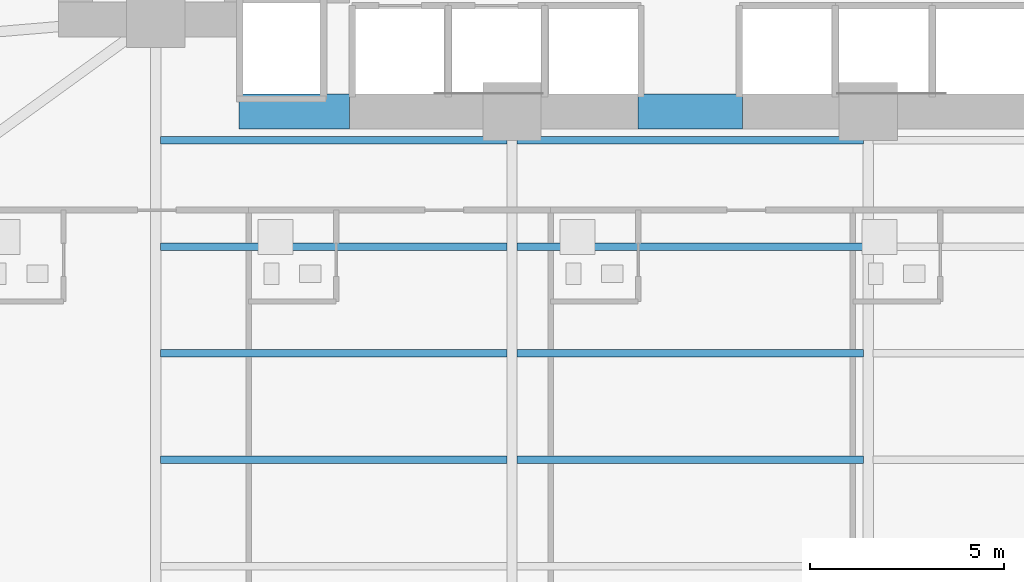
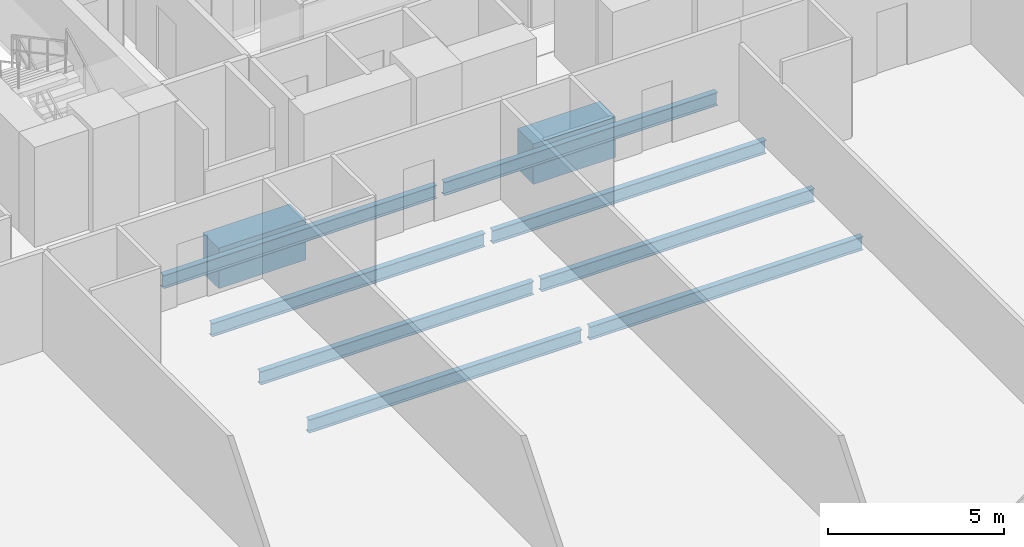
# One storey, part 7 of 28: 10 beams.
"""IFC4 building model written with IfcOpenShell, lengths in metres."""

from ifc_helpers import new_model, si_unit, direction, frame, origin, origin_2d, place, context, subcontext, project, spatial, rectangle, i_section, extrude, material, material_profile, profile_set, type_object, element, save


model = new_model("IFC4")

# Units and contexts
model_context = context("Model", 3, precision=1e-05, world=origin(), true_north=direction((0.0, 1.0)))
body_context = subcontext(model_context, "Body", "Model", "MODEL_VIEW")
ifc_project = project(units=[si_unit("LENGTHUNIT", "METRE"), si_unit("AREAUNIT", "SQUARE_METRE"), si_unit("VOLUMEUNIT", "CUBIC_METRE"), si_unit("PLANEANGLEUNIT", "RADIAN"), si_unit("MASSUNIT", "GRAM", prefix="KILO")], contexts=[model_context])

# Site, building, storey
site_placement = place(None, origin())
site = spatial("IfcSite", under=ifc_project, at=site_placement, CompositionType="ELEMENT")
building_placement = place(site_placement, origin())
building = spatial("IfcBuilding", under=site, at=building_placement, Name="Zuhayl Quay Hotel", CompositionType="ELEMENT")
storey_placement = place(building_placement, frame((0.0, 0.0, 53.14990234375)))
storey = spatial("IfcBuildingStorey", under=building, at=storey_placement, Name="L12", CompositionType="ELEMENT", Elevation=53.14990234375)

# Beams
ifc_material_1 = material(Name="Concrete C60/75", Category="concrete")
ifc_material_profile_1 = material_profile(ifc_material_1, rectangle(XDim=0.89990234375, YDim=1.39990234375, at=origin_2d()), Name="RC900X1400")
ifc_profile_set_1 = profile_set([ifc_material_profile_1], Name="Concrete C60/75")
beam_type_1 = type_object("IfcBeamType", Name="BM_CB1_RC900", PredefinedType="T_BEAM", material=ifc_profile_set_1)
beam_1_placement = place(storey_placement, frame((-11.64990234375, 2.14990234375, -0.919921875), z_axis=(1.0, 0.0, 0.0), x_axis=(0.0, 1.0, 0.0)))
element("IfcBeam", 1, at=beam_1_placement, inside=storey, type_object=beam_type_1, Name="L12 Core Coupling Beam SW", PredefinedType="T_BEAM", context=body_context, shape_type="SweptSolid", body=[
    extrude(rectangle(XDim=0.89990234375, YDim=1.39990234375, at=origin_2d()), origin(), (0.0, 0.0, 1.0), 2.849853515625),
])
beam_2_placement = place(storey_placement, frame((-1.35009765625, 2.14990234375, -0.919921875), z_axis=(1.0, 0.0, 0.0), x_axis=(0.0, 1.0, 0.0)))
element("IfcBeam", 2, at=beam_2_placement, inside=storey, type_object=beam_type_1, Name="L12 Core Coupling Beam South", PredefinedType="T_BEAM", context=body_context, shape_type="SweptSolid", body=[
    extrude(rectangle(XDim=0.89990234375, YDim=1.39990234375, at=origin_2d()), origin(), (0.0, 0.0, 1.0), 2.7001953125),
])
ifc_material_2 = material(Name="Steel ASTM A992 Grade 50", Category="steel")
ifc_material_profile_2 = material_profile(ifc_material_2, i_section(OverallWidth=0.18994140625, OverallDepth=0.45703125, WebThickness=0.009033203125, FlangeThickness=0.014404296875, at=origin_2d()), Name="W18X50")
ifc_profile_set_2 = profile_set([ifc_material_profile_2], Name="Steel ASTM A992 Grade 50")
beam_type_2 = type_object("IfcBeamType", Name="BM_J2_W18X50", PredefinedType="JOIST", material=ifc_profile_set_2)
beam_3_placement = place(storey_placement, frame((-13.674560546875, -6.85009765625, -0.448486328125), z_axis=(1.0, 0.0, 0.0), x_axis=(0.0, 1.0, 0.0)))
element("IfcBeam", 3, at=beam_3_placement, inside=storey, type_object=beam_type_2, Name="L12 Floor Beam FJ_L12_7_1", PredefinedType="JOIST", context=body_context, shape_type="SweptSolid", body=[
    extrude(i_section(OverallWidth=0.18994140625, OverallDepth=0.45703125, WebThickness=0.009033203125, FlangeThickness=0.014404296875, at=origin_2d()), origin(), (0.0, 0.0, 1.0), 8.948974609375),
])
beam_4_placement = place(storey_placement, frame((-4.474609375, -6.85009765625, -0.448486328125), z_axis=(1.0, 0.0, 0.0), x_axis=(0.0, 1.0, 0.0)))
element("IfcBeam", 4, at=beam_4_placement, inside=storey, type_object=beam_type_2, Name="L12 Floor Beam FJ_L12_7_2", PredefinedType="JOIST", context=body_context, shape_type="SweptSolid", body=[
    extrude(i_section(OverallWidth=0.18994140625, OverallDepth=0.45703125, WebThickness=0.009033203125, FlangeThickness=0.014404296875, at=origin_2d()), origin(), (0.0, 0.0, 1.0), 8.94921875),
])
beam_5_placement = place(storey_placement, frame((-13.674560546875, -4.10009765625, -0.448486328125), z_axis=(1.0, 0.0, 0.0), x_axis=(0.0, 1.0, 0.0)))
element("IfcBeam", 5, at=beam_5_placement, inside=storey, type_object=beam_type_2, Name="L12 Floor Beam FJ_L12_8_1", PredefinedType="JOIST", context=body_context, shape_type="SweptSolid", body=[
    extrude(i_section(OverallWidth=0.18994140625, OverallDepth=0.45703125, WebThickness=0.009033203125, FlangeThickness=0.014404296875, at=origin_2d()), origin(), (0.0, 0.0, 1.0), 8.948974609375),
])
beam_6_placement = place(storey_placement, frame((-4.474609375, -4.10009765625, -0.448486328125), z_axis=(1.0, 0.0, 0.0), x_axis=(0.0, 1.0, 0.0)))
element("IfcBeam", 6, at=beam_6_placement, inside=storey, type_object=beam_type_2, Name="L12 Floor Beam FJ_L12_8_2", PredefinedType="JOIST", context=body_context, shape_type="SweptSolid", body=[
    extrude(i_section(OverallWidth=0.18994140625, OverallDepth=0.45703125, WebThickness=0.009033203125, FlangeThickness=0.014404296875, at=origin_2d()), origin(), (0.0, 0.0, 1.0), 8.94921875),
])
beam_7_placement = place(storey_placement, frame((-13.674560546875, -1.35009765625, -0.448486328125), z_axis=(1.0, 0.0, 0.0), x_axis=(0.0, 1.0, 0.0)))
element("IfcBeam", 7, at=beam_7_placement, inside=storey, type_object=beam_type_2, Name="L12 Floor Beam FJ_L12_9_1", PredefinedType="JOIST", context=body_context, shape_type="SweptSolid", body=[
    extrude(i_section(OverallWidth=0.18994140625, OverallDepth=0.45703125, WebThickness=0.009033203125, FlangeThickness=0.014404296875, at=origin_2d()), origin(), (0.0, 0.0, 1.0), 8.948974609375),
])
beam_8_placement = place(storey_placement, frame((-4.474609375, -1.35009765625, -0.448486328125), z_axis=(1.0, 0.0, 0.0), x_axis=(0.0, 1.0, 0.0)))
element("IfcBeam", 8, at=beam_8_placement, inside=storey, type_object=beam_type_2, Name="L12 Floor Beam FJ_L12_9_2", PredefinedType="JOIST", context=body_context, shape_type="SweptSolid", body=[
    extrude(i_section(OverallWidth=0.18994140625, OverallDepth=0.45703125, WebThickness=0.009033203125, FlangeThickness=0.014404296875, at=origin_2d()), origin(), (0.0, 0.0, 1.0), 8.94921875),
])
beam_9_placement = place(storey_placement, frame((-13.674560546875, 1.39990234375, -0.448486328125), z_axis=(1.0, 0.0, 0.0), x_axis=(0.0, 1.0, 0.0)))
element("IfcBeam", 9, at=beam_9_placement, inside=storey, type_object=beam_type_2, Name="L12 Floor Beam FJ_L12_10_1", PredefinedType="JOIST", context=body_context, shape_type="SweptSolid", body=[
    extrude(i_section(OverallWidth=0.18994140625, OverallDepth=0.45703125, WebThickness=0.009033203125, FlangeThickness=0.014404296875, at=origin_2d()), origin(), (0.0, 0.0, 1.0), 8.948974609375),
])
beam_10_placement = place(storey_placement, frame((-4.474609375, 1.39990234375, -0.448486328125), z_axis=(1.0, 0.0, 0.0), x_axis=(0.0, 1.0, 0.0)))
element("IfcBeam", 10, at=beam_10_placement, inside=storey, type_object=beam_type_2, Name="L12 Floor Beam FJ_L12_10_2", PredefinedType="JOIST", context=body_context, shape_type="SweptSolid", body=[
    extrude(i_section(OverallWidth=0.18994140625, OverallDepth=0.45703125, WebThickness=0.009033203125, FlangeThickness=0.014404296875, at=origin_2d()), origin(), (0.0, 0.0, 1.0), 8.94921875),
])

save(model, "model.ifc")
